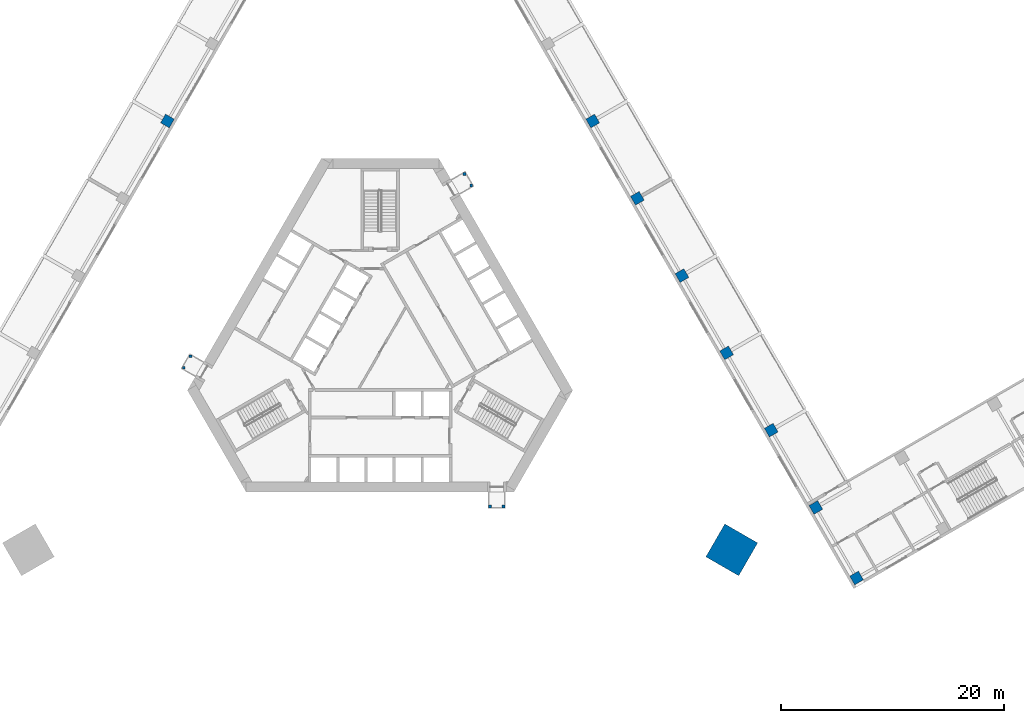
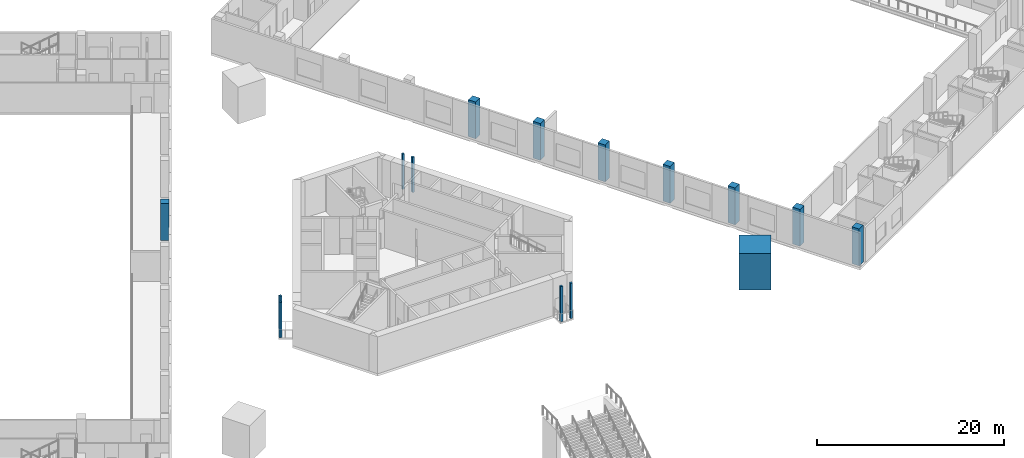
# One storey, part 2 of 28: 15 columns.
"""IFC4 building model written with IfcOpenShell, lengths in metres."""

from ifc_helpers import new_model, si_unit, direction, frame, origin, origin_2d, place, context, subcontext, project, spatial, rectangle, extrude, material, material_profile, profile_set, type_object, element, save


model = new_model("IFC4")

# Units and contexts
model_context = context("Model", 3, precision=1e-05, world=origin(), true_north=direction((0.0, 1.0)))
body_context = subcontext(model_context, "Body", "Model", "MODEL_VIEW")
ifc_project = project(units=[si_unit("LENGTHUNIT", "METRE"), si_unit("AREAUNIT", "SQUARE_METRE"), si_unit("VOLUMEUNIT", "CUBIC_METRE"), si_unit("PLANEANGLEUNIT", "RADIAN"), si_unit("MASSUNIT", "GRAM", prefix="KILO")], contexts=[model_context])

# Site, building, storey
site_placement = place(None, origin())
site = spatial("IfcSite", under=ifc_project, at=site_placement, CompositionType="ELEMENT")
building_placement = place(site_placement, origin())
building = spatial("IfcBuilding", under=site, at=building_placement, Name="Mestral Congress Tower", CompositionType="ELEMENT")
storey_placement = place(building_placement, frame((0.0, 0.0, 11.39990234375)))
storey = spatial("IfcBuildingStorey", under=building, at=storey_placement, Name="L02", CompositionType="ELEMENT", Elevation=11.39990234375)

# Columns
ifc_material_1 = material(Name="Concrete C80/95", Category="concrete")
ifc_material_profile_1 = material_profile(ifc_material_1, rectangle(XDim=3.39990234375, YDim=3.39990234375, at=origin_2d()), Name="RC 3400x3400")
ifc_profile_set_1 = profile_set([ifc_material_profile_1], Name="Concrete C80/95")
column_type_1 = type_object("IfcColumnType", Name="Mega column RC 3400x3400 C80/95", PredefinedType="COLUMN", material=ifc_profile_set_1)
column_placement = place(storey_placement, frame((31.5224609375, -18.199462890625, 0.0), z_axis=(0.0, 0.0, 1.0), x_axis=(0.866025403784, -0.5, 0.0)))
element("IfcColumn", 1, at=column_placement, inside=storey, type_object=column_type_1, Name="COL-L02-PY1-SE", PredefinedType="COLUMN", context=body_context, shape_type="SweptSolid", body=[
    extrude(rectangle(XDim=3.39990234375, YDim=3.39990234375, at=origin_2d()), origin(), (0.0, 0.0, 1.0), 4.800048828125),
])
ifc_material_2 = material(Name="Concrete C50/60", Category="concrete")
ifc_material_profile_2 = material_profile(ifc_material_2, rectangle(XDim=0.89990234375, YDim=0.89990234375, at=origin_2d()), Name="RC 900x900")
ifc_profile_set_2 = profile_set([ifc_material_profile_2], Name="Concrete C50/60")
column_type_2 = type_object("IfcColumnType", Name="Podium column RC 900x900 C50/60", PredefinedType="COLUMN", material=ifc_profile_set_2)
for number, where, z_axis, x_axis, name in (
    (2, (42.71044921875, -20.720703125, 0.0), (0.0, 0.0, 1.0), (-0.5, 0.866025403784, 0.0), "COL-L02-PC-E-01A"),
    (3, (39.060546875, -14.398681640625, 0.0), (0.0, 0.0, 1.0), (-0.5, 0.866025403784, 0.0), "COL-L02-PC-E-02A"),
    (4, (35.060546875, -7.470703125, 0.0), (0.0, 0.0, 1.0), (-0.5, 0.866025403784, 0.0), "COL-L02-PC-E-03A"),
    (5, (31.060546875, -0.54248046875, 0.0), (0.0, 0.0, 1.0), (-0.5, 0.866025403784, 0.0), "COL-L02-PC-E-04A"),
    (6, (27.060546875, 6.3857421875, 0.0), (0.0, 0.0, 1.0), (-0.5, 0.866025403784, 0.0), "COL-L02-PC-E-05A"),
    (7, (23.060546875, 13.31396484375, 0.0), (0.0, 0.0, 1.0), (-0.5, 0.866025403784, 0.0), "COL-L02-PC-E-06A"),
    (8, (19.060546875, 20.2421875, 0.0), (0.0, 0.0, 1.0), (-0.5, 0.866025403784, 0.0), "COL-L02-PC-E-07A"),
    (9, (-19.060546875, 20.2421875, 0.0), (0.0, 0.0, 1.0), (-0.5, -0.866025403784, 0.0), "COL-L02-PC-W-05A"),
):
    element("IfcColumn", number, at=place(storey_placement, frame(where, z_axis=z_axis, x_axis=x_axis)), inside=storey, type_object=column_type_2, Name=name, PredefinedType="COLUMN", context=body_context, shape_type="SweptSolid", body=[
        extrude(rectangle(XDim=0.89990234375, YDim=0.89990234375, at=origin_2d()), origin(), (0.0, 0.0, 1.0), 4.800048828125),
    ])
ifc_material_3 = material(Name="Concrete C40/50", Category="concrete")
ifc_material_profile_3 = material_profile(ifc_material_3, rectangle(XDim=0.25, YDim=0.25, at=origin_2d()), Name="RC 250x250")
ifc_profile_set_3 = profile_set([ifc_material_profile_3], Name="Concrete C40/50")
column_type_3 = type_object("IfcColumnType", Name="Podium door landing column RC 250x250 C40/50", PredefinedType="COLUMN", material=ifc_profile_set_3)
for number, where, z_axis, x_axis, name in (
    (10, (9.86181640625, -14.300048828125, 0.0), (0.0, 0.0, 1.0), (1.0, 0.0, 0.0), "pd-dl-XD1-L03-C1-L02"),
    (11, (11.061767578125, -14.300048828125, 0.0), (0.0, 0.0, 1.0), (1.0, 0.0, 0.0), "pd-dl-XD1-L03-C2-L02"),
    (12, (8.16650390625, 14.455322265625, 0.0), (0.0, 0.0, 1.0), (1.0, 0.0, 0.0), "pd-dl-XD2-L03-C1-L02"),
    (13, (7.56640625, 15.49462890625, 0.0), (0.0, 0.0, 1.0), (1.0, 0.0, 0.0), "pd-dl-XD2-L03-C2-L02"),
    (14, (-17.0, -0.844970703125, 0.0), (0.0, 0.0, 1.0), (1.0, 0.0, 0.0), "pd-dl-XD3-L03-C1-L02"),
    (15, (-17.60009765625, -1.88427734375, 0.0), (0.0, 0.0, 1.0), (1.0, 0.0, 0.0), "pd-dl-XD3-L03-C2-L02"),
):
    element("IfcColumn", number, at=place(storey_placement, frame(where, z_axis=z_axis, x_axis=x_axis)), inside=storey, type_object=column_type_3, Name=name, PredefinedType="COLUMN", context=body_context, shape_type="SweptSolid", body=[
        extrude(rectangle(XDim=0.25, YDim=0.25, at=origin_2d()), origin(), (0.0, 0.0, 1.0), 4.60009765625),
    ])

save(model, "model.ifc")
